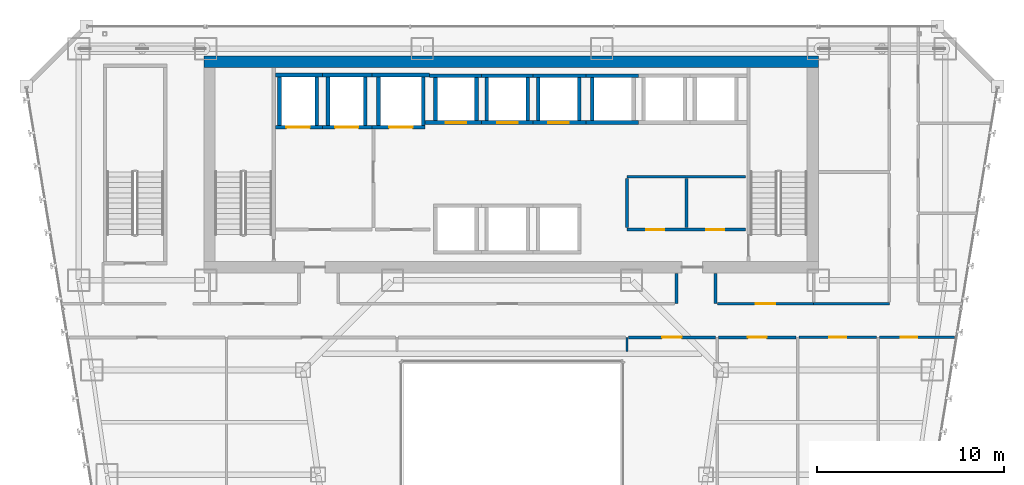
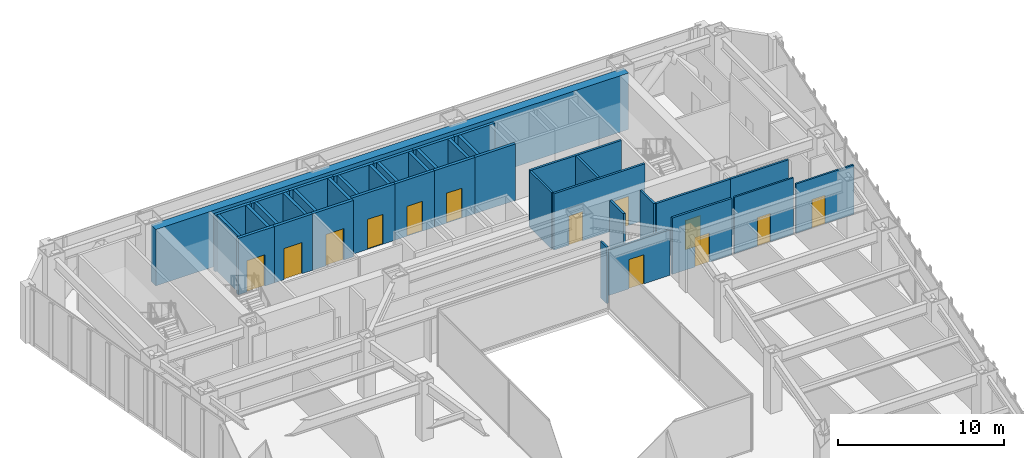
# One storey, part 37 of 47: 41 walls, 13 doors, 13 openings.
"""IFC4 building model written with IfcOpenShell, lengths in metres."""

from ifc_helpers import new_model, si_unit, direction, frame, frame_2d, origin, place, context, subcontext, project, spatial, rectangle, extrude, material, layer, layer_set, type_object, element, fill, save


model = new_model("IFC4")

# Units and contexts
model_context = context("Model", 3, precision=1e-05, world=origin(), true_north=direction((0.0, 1.0)))
body_context = subcontext(model_context, "Body", "Model", "MODEL_VIEW")
ifc_project = project(units=[si_unit("LENGTHUNIT", "METRE"), si_unit("AREAUNIT", "SQUARE_METRE"), si_unit("VOLUMEUNIT", "CUBIC_METRE"), si_unit("PLANEANGLEUNIT", "RADIAN"), si_unit("MASSUNIT", "GRAM", prefix="KILO")], contexts=[model_context])

# Site, building, storey
site_placement = place(None, origin())
site = spatial("IfcSite", under=ifc_project, at=site_placement, CompositionType="ELEMENT")
building_placement = place(site_placement, origin())
building = spatial("IfcBuilding", under=site, at=building_placement, Name="Saevonmaru Cultural Tower", CompositionType="ELEMENT")
storey_placement = place(building_placement, frame((0.0, 0.0, 60.39990234375)))
storey = spatial("IfcBuildingStorey", under=building, at=storey_placement, Name="L12", CompositionType="ELEMENT", Elevation=60.39990234375)

# Wall
ifc_material_1 = material(Name="Concrete C60/75", Category="concrete")
ifc_layer_1 = layer(ifc_material_1, 0.60009765625, Name="Concrete C60/75")
ifc_layer_set_1 = layer_set([ifc_layer_1], Name="Concrete C60/75")
wall_type_1 = type_object("IfcWallType", Name="WL-CORE-600", PredefinedType="SHEAR", material=ifc_layer_set_1)
wall_1_placement = place(storey_placement, frame((13.5, 54.10009765625, 0.0), z_axis=(0.0, 0.0, 1.0), x_axis=(1.0, 0.0, 0.0)))
element("IfcWall", 1, at=wall_1_placement, inside=storey, type_object=wall_type_1, Name="L12 Tower RC core shear wall N", PredefinedType="SHEAR", context=body_context, shape_type="SweptSolid", body=[
    extrude(rectangle(XDim=32.89990234375, YDim=0.60009765625, at=frame_2d((16.449951171875, 0.0))), origin(), (0.0, 0.0, 1.0), 4.150146484375),
])

# Wall, openings, doors
ifc_material_2 = material(Name="Gypsum Fireboard Partition", Category="gypsum")
ifc_layer_2 = layer(ifc_material_2, 0.14990234375, Name="Gypsum Fireboard Partition")
ifc_layer_set_2 = layer_set([ifc_layer_2], Name="Gypsum Fireboard Partition")
wall_type_2 = type_object("IfcWallType", Name="WL-CORE-PART-150", PredefinedType="PARTITIONING", material=ifc_layer_set_2)
wall_2_placement = place(storey_placement, frame((36.14990234375, 45.1201171875, 0.0), z_axis=(0.0, 0.0, 1.0), x_axis=(1.0, 0.0, 0.0)))
wall_2 = element("IfcWall", 2, at=wall_2_placement, inside=storey, type_object=wall_type_2, Name="L12 Core Cluster South Wall", PredefinedType="PARTITIONING", context=body_context, shape_type="SweptSolid", body=[
    extrude(rectangle(XDim=6.35009765625, YDim=0.14990234375, at=frame_2d((3.175048828125, 0.0))), origin(), (0.0, 0.0, 1.0), 4.150146484375),
])
opening_1_placement = place(wall_2_placement, frame((1.050048828125, 0.0, 0.0)))
opening_1 = element("IfcOpeningElement", 3, at=opening_1_placement, cuts=wall_2, Name="Opening FD-4", PredefinedType="OPENING", context=body_context, shape_type="SweptSolid", body=[
    extrude(rectangle(XDim=0.949951171875, YDim=2.14990234375, at=frame_2d((0.47509765625, 1.074951171875))), frame((0.0, 0.0849609375, 0.0), z_axis=(0.0, -1.0, 0.0), x_axis=(1.0, 0.0, 0.0)), (0.0, 0.0, 1.0), 0.169921875),
])
opening_2_placement = place(wall_2_placement, frame((4.25, 0.0, 0.0)))
opening_2 = element("IfcOpeningElement", 4, at=opening_2_placement, cuts=wall_2, Name="Opening FD-4", PredefinedType="OPENING", context=body_context, shape_type="SweptSolid", body=[
    extrude(rectangle(XDim=0.949951171875, YDim=2.14990234375, at=frame_2d((0.47509765625, 1.074951171875))), frame((0.0, 0.0849609375, 0.0), z_axis=(0.0, -1.0, 0.0), x_axis=(1.0, 0.0, 0.0)), (0.0, 0.0, 1.0), 0.169921875),
])
ifc_material_3 = material(Name="Satin Bronze Anodised Aluminium", Category="aluminium")
door_type_1 = type_object("IfcDoorType", Name="DR-FD60-950", OperationType="SINGLE_SWING_LEFT", PredefinedType="DOOR", material=ifc_material_3)
door_1_placement = place(opening_1_placement, origin())
door_1 = element("IfcDoor", 5, at=door_1_placement, inside=storey, type_object=door_type_1, Name="L12 BMS Control Room Door", OperationType="SINGLE_SWING_LEFT", OverallHeight=2.14990234375, OverallWidth=0.949951171875, PredefinedType="DOOR", context=body_context, shape_type="SweptSolid", body=[
    extrude(rectangle(XDim=0.949951171875, YDim=2.14990234375, at=frame_2d((0.47509765625, 1.074951171875))), frame((0.0, 0.02490234375, 0.0), z_axis=(0.0, -1.0, 0.0), x_axis=(1.0, 0.0, 0.0)), (0.0, 0.0, 1.0), 0.050048828125),
])
fill(opening_1, door_1)
door_2_placement = place(opening_2_placement, origin())
door_2 = element("IfcDoor", 6, at=door_2_placement, inside=storey, type_object=door_type_1, Name="L12 Fibre Node Plant Door", OperationType="SINGLE_SWING_LEFT", OverallHeight=2.14990234375, OverallWidth=0.949951171875, PredefinedType="DOOR", context=body_context, shape_type="SweptSolid", body=[
    extrude(rectangle(XDim=0.949951171875, YDim=2.14990234375, at=frame_2d((0.47509765625, 1.074951171875))), frame((0.0, 0.02490234375, 0.0), z_axis=(0.0, -1.0, 0.0), x_axis=(1.0, 0.0, 0.0)), (0.0, 0.0, 1.0), 0.050048828125),
])
fill(opening_2, door_2)

# Walls
wall_3_placement = place(storey_placement, frame((36.14990234375, 47.949951171875, 0.0), z_axis=(0.0, 0.0, 1.0), x_axis=(1.0, 0.0, 0.0)))
element("IfcWall", 7, at=wall_3_placement, inside=storey, type_object=wall_type_2, Name="L12 Core Cluster North Wall", PredefinedType="PARTITIONING", context=body_context, shape_type="SweptSolid", body=[
    extrude(rectangle(XDim=6.35009765625, YDim=0.14990234375, at=frame_2d((3.175048828125, 0.0))), origin(), (0.0, 0.0, 1.0), 4.150146484375),
])
for number, where, z_axis, x_axis, name in (
    (8, (36.14990234375, 45.219970703125, 0.0), (0.0, 0.0, 1.0), (0.0, 1.0, 0.0), "L12 Core Cluster West Wall"),
    (9, (39.35009765625, 45.219970703125, 0.0), (0.0, 0.0, 1.0), (0.0, 1.0, 0.0), "L12 Core Cluster Inner Split"),
):
    element("IfcWall", number, at=place(storey_placement, frame(where, z_axis=z_axis, x_axis=x_axis)), inside=storey, type_object=wall_type_2, Name=name, PredefinedType="PARTITIONING", context=body_context, shape_type="SweptSolid", body=[
        extrude(rectangle(XDim=2.630126953125, YDim=0.14990234375, at=frame_2d((1.31494140625, 0.0))), origin(), (0.0, 0.0, 1.0), 4.150146484375),
    ])
ifc_layer_3 = layer(ifc_material_2, 0.14990234375, Name="Gypsum Fireboard Partition")
ifc_layer_set_3 = layer_set([ifc_layer_3], Name="Gypsum Fireboard Partition")
wall_type_3 = type_object("IfcWallType", Name="WL-PART-FIRE-150", PredefinedType="PARTITIONING", material=ifc_layer_set_3)
for number, where, z_axis, x_axis, name in (
    (10, (38.800048828125, 41.14990234375, 0.0), (0.0, 0.0, 1.0), (0.0, 1.0, 0.0), "L12 Core Portal Side Wall E1"),
    (11, (40.89990234375, 41.14990234375, 0.0), (0.0, 0.0, 1.0), (0.0, 1.0, 0.0), "L12 Core Portal Side Wall E2"),
):
    element("IfcWall", number, at=place(storey_placement, frame(where, z_axis=z_axis, x_axis=x_axis)), inside=storey, type_object=wall_type_3, Name=name, PredefinedType="PARTITIONING", context=body_context, shape_type="SweptSolid", body=[
        extrude(rectangle(XDim=1.630126953125, YDim=0.14990234375, at=frame_2d((0.81494140625, 0.0))), origin(), (0.0, 0.0, 1.0), 4.150146484375),
    ])

# Wall, opening, door
wall_4_placement = place(storey_placement, frame((40.9951171875, 41.14990234375, 0.0), z_axis=(0.0, 0.0, 1.0), x_axis=(1.0, 0.0, 0.0)))
wall_4 = element("IfcWall", 12, at=wall_4_placement, inside=storey, type_object=wall_type_3, Name="L12 Kinetic Art Exhibition Gallery Corridor Wall", PredefinedType="PARTITIONING", context=body_context, shape_type="SweptSolid", body=[
    extrude(rectangle(XDim=5.15478515625, YDim=0.14990234375, at=frame_2d((2.577392578125, 0.0))), origin(), (0.0, 0.0, 1.0), 4.150146484375),
])
opening_3_placement = place(wall_4_placement, frame((2.052978515625, 0.0, 0.0)))
opening_3 = element("IfcOpeningElement", 13, at=opening_3_placement, cuts=wall_4, Name="Opening ID-1", PredefinedType="OPENING", context=body_context, shape_type="SweptSolid", body=[
    extrude(rectangle(XDim=1.050048828125, YDim=2.14990234375, at=frame_2d((0.52490234375, 1.074951171875))), frame((0.0, 0.0849609375, 0.0), z_axis=(0.0, -1.0, 0.0), x_axis=(1.0, 0.0, 0.0)), (0.0, 0.0, 1.0), 0.169921875),
])
door_type_2 = type_object("IfcDoorType", Name="DR-INT-1050", OperationType="SINGLE_SWING_LEFT", PredefinedType="DOOR", material=ifc_material_3)
door_3_placement = place(opening_3_placement, origin())
door_3 = element("IfcDoor", 14, at=door_3_placement, inside=storey, type_object=door_type_2, Name="L12 Kinetic Art Exhibition Gallery Door", OperationType="SINGLE_SWING_LEFT", OverallHeight=2.14990234375, OverallWidth=1.050048828125, PredefinedType="DOOR", context=body_context, shape_type="SweptSolid", body=[
    extrude(rectangle(XDim=1.050048828125, YDim=2.14990234375, at=frame_2d((0.52490234375, 1.074951171875))), frame((0.0, 0.02490234375, 0.0), z_axis=(0.0, -1.0, 0.0), x_axis=(1.0, 0.0, 0.0)), (0.0, 0.0, 1.0), 0.050048828125),
])
fill(opening_3, door_3)

wall_5_placement = place(storey_placement, frame((36.22998046875, 39.35009765625, 0.0), z_axis=(0.0, 0.0, 1.0), x_axis=(1.0, 0.0, 0.0)))
wall_5 = element("IfcWall", 15, at=wall_5_placement, inside=storey, type_object=wall_type_3, Name="L12 Kinetic Art Exhibition Gallery Corridor Wall", PredefinedType="PARTITIONING", context=body_context, shape_type="SweptSolid", body=[
    extrude(rectangle(XDim=4.66259765625, YDim=0.14990234375, at=frame_2d((2.331298828125, 0.0))), origin(), (0.0, 0.0, 1.0), 3.335205078125),
])
opening_4_placement = place(wall_5_placement, frame((1.805908203125, 0.0, 0.0)))
opening_4 = element("IfcOpeningElement", 16, at=opening_4_placement, cuts=wall_5, Name="Opening ID-1", PredefinedType="OPENING", context=body_context, shape_type="SweptSolid", body=[
    extrude(rectangle(XDim=1.050048828125, YDim=2.14990234375, at=frame_2d((0.52490234375, 1.074951171875))), frame((0.0, 0.0849609375, 0.0), z_axis=(0.0, -1.0, 0.0), x_axis=(1.0, 0.0, 0.0)), (0.0, 0.0, 1.0), 0.169921875),
])
door_4_placement = place(opening_4_placement, origin())
door_4 = element("IfcDoor", 17, at=door_4_placement, inside=storey, type_object=door_type_2, Name="L12 Kinetic Art Exhibition Gallery Door", OperationType="SINGLE_SWING_RIGHT", OverallHeight=2.14990234375, OverallWidth=1.050048828125, PredefinedType="DOOR", context=body_context, shape_type="SweptSolid", body=[
    extrude(rectangle(XDim=1.050048828125, YDim=2.14990234375, at=frame_2d((0.52490234375, 1.074951171875))), frame((0.0, 0.02490234375, 0.0), z_axis=(0.0, -1.0, 0.0), x_axis=(1.0, 0.0, 0.0)), (0.0, 0.0, 1.0), 0.050048828125),
])
fill(opening_4, door_4)

wall_6_placement = place(storey_placement, frame((41.0673828125, 39.35009765625, 0.0), z_axis=(0.0, 0.0, 1.0), x_axis=(1.0, 0.0, 0.0)))
wall_6 = element("IfcWall", 18, at=wall_6_placement, inside=storey, type_object=wall_type_3, Name="L12 Chamber Rehearsal Auditorium Corridor Wall", PredefinedType="PARTITIONING", context=body_context, shape_type="SweptSolid", body=[
    extrude(rectangle(XDim=4.135009765625, YDim=0.14990234375, at=frame_2d((2.0673828125, 0.0))), origin(), (0.0, 0.0, 1.0), 4.150146484375),
])
opening_5_placement = place(wall_6_placement, frame((1.56689453125, 0.0, 0.0)))
opening_5 = element("IfcOpeningElement", 19, at=opening_5_placement, cuts=wall_6, Name="Opening ID-1B", PredefinedType="OPENING", context=body_context, shape_type="SweptSolid", body=[
    extrude(rectangle(XDim=1.0, YDim=2.14990234375, at=frame_2d((0.5, 1.074951171875))), frame((0.0, 0.0849609375, 0.0), z_axis=(0.0, -1.0, 0.0), x_axis=(1.0, 0.0, 0.0)), (0.0, 0.0, 1.0), 0.169921875),
])
ifc_material_4 = material(Name="Acoustic Stained Oak Timber", Category="wood")
door_type_3 = type_object("IfcDoorType", Name="DR-INT-1000", OperationType="SINGLE_SWING_RIGHT", PredefinedType="DOOR", material=ifc_material_4)
door_5_placement = place(opening_5_placement, origin())
door_5 = element("IfcDoor", 20, at=door_5_placement, inside=storey, type_object=door_type_3, Name="L12 Chamber Rehearsal Auditorium Door", OperationType="SINGLE_SWING_LEFT", OverallHeight=2.14990234375, OverallWidth=1.0, PredefinedType="DOOR", context=body_context, shape_type="SweptSolid", body=[
    extrude(rectangle(XDim=1.0, YDim=2.14990234375, at=frame_2d((0.5, 1.074951171875))), frame((0.0, 0.02490234375, 0.0), z_axis=(0.0, -1.0, 0.0), x_axis=(1.0, 0.0, 0.0)), (0.0, 0.0, 1.0), 0.050048828125),
])
fill(opening_5, door_5)

# Wall
ifc_layer_4 = layer(ifc_material_2, 0.1201171875, Name="Gypsum Fireboard Partition")
ifc_layer_set_4 = layer_set([ifc_layer_4], Name="Gypsum Fireboard Partition")
wall_type_4 = type_object("IfcWallType", Name="WL-PART-GYP-120", PredefinedType="PARTITIONING", material=ifc_layer_set_4)
wall_7_placement = place(storey_placement, frame((36.14990234375, 38.60009765625, 0.0), z_axis=(0.0, 0.0, 1.0), x_axis=(0.0, 1.0, 0.0)))
element("IfcWall", 21, at=wall_7_placement, inside=storey, type_object=wall_type_4, Name="L12 North Atrium East Wall", PredefinedType="PARTITIONING", context=body_context, shape_type="SweptSolid", body=[
    extrude(rectangle(XDim=0.75, YDim=0.1201171875, at=frame_2d((0.375, 0.0))), origin(), (0.0, 0.0, 1.0), 4.150146484375),
])

# Wall, opening, door
wall_8_placement = place(storey_placement, frame((45.37744140625, 39.35009765625, 0.0), z_axis=(0.0, 0.0, 1.0), x_axis=(1.0, 0.0, 0.0)))
wall_8 = element("IfcWall", 22, at=wall_8_placement, inside=storey, type_object=wall_type_4, Name="L12 Urban Design Meeting Room Corridor Wall", PredefinedType="PARTITIONING", context=body_context, shape_type="SweptSolid", body=[
    extrude(rectangle(XDim=4.135009765625, YDim=0.1201171875, at=frame_2d((2.0673828125, 0.0))), origin(), (0.0, 0.0, 1.0), 4.150146484375),
])
opening_6_placement = place(wall_8_placement, frame((1.617919921875, 0.0, 0.0)))
opening_6 = element("IfcOpeningElement", 23, at=opening_6_placement, cuts=wall_8, Name="Opening ID-2", PredefinedType="OPENING", context=body_context, shape_type="SweptSolid", body=[
    extrude(rectangle(XDim=0.89990234375, YDim=2.10009765625, at=frame_2d((0.449951171875, 1.050048828125))), frame((0.0, 0.070068359375, 0.0), z_axis=(0.0, -1.0, 0.0), x_axis=(1.0, 0.0, 0.0)), (0.0, 0.0, 1.0), 0.14013671875),
])
door_type_4 = type_object("IfcDoorType", Name="DR-INT-900", OperationType="SINGLE_SWING_RIGHT", PredefinedType="DOOR", material=ifc_material_4)
door_6_placement = place(opening_6_placement, origin())
door_6 = element("IfcDoor", 24, at=door_6_placement, inside=storey, type_object=door_type_4, Name="L12 Urban Design Meeting Room Door", OperationType="SINGLE_SWING_RIGHT", OverallHeight=2.10009765625, OverallWidth=0.89990234375, PredefinedType="DOOR", context=body_context, shape_type="SweptSolid", body=[
    extrude(rectangle(XDim=0.89990234375, YDim=2.10009765625, at=frame_2d((0.449951171875, 1.050048828125))), frame((0.0, 0.02490234375, 0.0), z_axis=(0.0, -1.0, 0.0), x_axis=(1.0, 0.0, 0.0)), (0.0, 0.0, 1.0), 0.050048828125),
])
fill(opening_6, door_6)

wall_9_placement = place(storey_placement, frame((49.6875, 39.35009765625, 0.0), z_axis=(0.0, 0.0, 1.0), x_axis=(1.0, 0.0, 0.0)))
wall_9 = element("IfcWall", 25, at=wall_9_placement, inside=storey, type_object=wall_type_4, Name="L12 Calligraphy Teaching Studio Corridor Wall", PredefinedType="PARTITIONING", context=body_context, shape_type="SweptSolid", body=[
    extrude(rectangle(XDim=4.007568359375, YDim=0.1201171875, at=frame_2d((2.00390625, 0.0))), origin(), (0.0, 0.0, 1.0), 3.635009765625),
])
opening_7_placement = place(wall_9_placement, frame((1.114013671875, 0.0, 0.0)))
opening_7 = element("IfcOpeningElement", 26, at=opening_7_placement, cuts=wall_9, Name="Opening ID-2", PredefinedType="OPENING", context=body_context, shape_type="SweptSolid", body=[
    extrude(rectangle(XDim=0.89990234375, YDim=2.10009765625, at=frame_2d((0.449951171875, 1.050048828125))), frame((0.0, 0.070068359375, 0.0), z_axis=(0.0, -1.0, 0.0), x_axis=(1.0, 0.0, 0.0)), (0.0, 0.0, 1.0), 0.14013671875),
])
door_7_placement = place(opening_7_placement, origin())
door_7 = element("IfcDoor", 27, at=door_7_placement, inside=storey, type_object=door_type_4, Name="L12 Calligraphy Teaching Studio Door", OperationType="SINGLE_SWING_LEFT", OverallHeight=2.10009765625, OverallWidth=0.89990234375, PredefinedType="DOOR", context=body_context, shape_type="SweptSolid", body=[
    extrude(rectangle(XDim=0.89990234375, YDim=2.10009765625, at=frame_2d((0.449951171875, 1.050048828125))), frame((0.0, 0.02490234375, 0.0), z_axis=(0.0, -1.0, 0.0), x_axis=(1.0, 0.0, 0.0)), (0.0, 0.0, 1.0), 0.050048828125),
])
fill(opening_7, door_7)

# Wall
ifc_layer_5 = layer(ifc_material_2, 0.139892578125, Name="Gypsum Fireboard Partition")
ifc_layer_set_5 = layer_set([ifc_layer_5], Name="Gypsum Fireboard Partition")
wall_type_5 = type_object("IfcWallType", Name="WL-PART-WET-140", PredefinedType="PARTITIONING", material=ifc_layer_set_5)
wall_10_placement = place(storey_placement, frame((46.14990234375, 41.14990234375, 0.0), z_axis=(0.0, 0.0, 1.0), x_axis=(1.0, 0.0, 0.0)))
element("IfcWall", 28, at=wall_10_placement, inside=storey, type_object=wall_type_5, Name="L12 Washroom South Wall", PredefinedType="PARTITIONING", context=body_context, shape_type="SweptSolid", body=[
    extrude(rectangle(XDim=4.050048828125, YDim=0.139892578125, at=frame_2d((2.02490234375, 0.0))), origin(), (0.0, 0.0, 1.0), 4.150146484375),
])

# Wall, opening, door
ifc_material_5 = material(Name="Concrete C40/50", Category="concrete")
ifc_layer_6 = layer(ifc_material_5, 0.199951171875, Name="Concrete C40/50")
ifc_layer_set_6 = layer_set([ifc_layer_6], Name="Concrete C40/50")
wall_type_6 = type_object("IfcWallType", Name="WL-SHAFT-200", PredefinedType="SHEAR", material=ifc_layer_set_6)
wall_11_placement = place(storey_placement, frame((17.330078125, 50.60009765625, 0.0), z_axis=(0.0, 0.0, 1.0), x_axis=(1.0, 0.0, 0.0)))
wall_11 = element("IfcWall", 29, at=wall_11_placement, inside=storey, type_object=wall_type_6, Name="L12 Lift FFL-1 Hoistway Wall S", PredefinedType="SHEAR", context=body_context, shape_type="SweptSolid", body=[
    extrude(rectangle(XDim=2.52001953125, YDim=0.199951171875, at=frame_2d((1.260009765625, 0.0))), origin(), (0.0, 0.0, 1.0), 4.150146484375),
])
opening_8_placement = place(wall_11_placement, frame((0.594970703125, 0.0, 0.0)))
opening_8 = element("IfcOpeningElement", 30, at=opening_8_placement, cuts=wall_11, Name="Opening LD-2", PredefinedType="OPENING", context=body_context, shape_type="SweptSolid", body=[
    extrude(rectangle(XDim=1.25, YDim=2.300048828125, at=frame_2d((0.625, 1.14990234375))), frame((0.0, 0.10986328125, 0.0), z_axis=(0.0, -1.0, 0.0), x_axis=(1.0, 0.0, 0.0)), (0.0, 0.0, 1.0), 0.219970703125),
])
ifc_material_6 = material(Name="Stainless Steel 316", Category="steel")
door_type_5 = type_object("IfcDoorType", Name="DR-LIFT-1250", OperationType="SLIDING_TO_LEFT", PredefinedType="DOOR", material=ifc_material_6)
door_8_placement = place(opening_8_placement, origin())
door_8 = element("IfcDoor", 31, at=door_8_placement, inside=storey, type_object=door_type_5, Name="L12 Lift FFL-1 Sliding Landing Door", OperationType="SLIDING_TO_LEFT", OverallHeight=2.300048828125, OverallWidth=1.25, PredefinedType="DOOR", context=body_context, shape_type="SweptSolid", body=[
    extrude(rectangle(XDim=1.25, YDim=2.300048828125, at=frame_2d((0.625, 1.14990234375))), frame((0.0, 0.02490234375, 0.0), z_axis=(0.0, -1.0, 0.0), x_axis=(1.0, 0.0, 0.0)), (0.0, 0.0, 1.0), 0.050048828125),
])
fill(opening_8, door_8)

# Walls
wall_12_placement = place(storey_placement, frame((17.330078125, 53.39990234375, 0.0), z_axis=(0.0, 0.0, 1.0), x_axis=(1.0, 0.0, 0.0)))
element("IfcWall", 32, at=wall_12_placement, inside=storey, type_object=wall_type_6, Name="L12 Lift FFL-1 Hoistway Wall N", PredefinedType="SHEAR", context=body_context, shape_type="SweptSolid", body=[
    extrude(rectangle(XDim=2.52001953125, YDim=0.199951171875, at=frame_2d((1.260009765625, 0.0))), origin(), (0.0, 0.0, 1.0), 4.150146484375),
])
for number, where, z_axis, x_axis, name in (
    (33, (17.550048828125, 50.699951171875, 0.0), (0.0, 0.0, 1.0), (0.0, 1.0, 0.0), "L12 Lift FFL-1 Hoistway Wall W"),
    (34, (19.550048828125, 50.699951171875, 0.0), (0.0, 0.0, 1.0), (0.0, 1.0, 0.0), "L12 Lift FFL-1 Hoistway Wall E"),
):
    element("IfcWall", number, at=place(storey_placement, frame(where, z_axis=z_axis, x_axis=x_axis)), inside=storey, type_object=wall_type_6, Name=name, PredefinedType="SHEAR", context=body_context, shape_type="SweptSolid", body=[
        extrude(rectangle(XDim=2.60009765625, YDim=0.199951171875, at=frame_2d((1.300048828125, 0.0))), origin(), (0.0, 0.0, 1.0), 4.150146484375),
    ])

# Wall, opening, door
wall_13_placement = place(storey_placement, frame((19.85009765625, 50.60009765625, 0.0), z_axis=(0.0, 0.0, 1.0), x_axis=(1.0, 0.0, 0.0)))
wall_13 = element("IfcWall", 35, at=wall_13_placement, inside=storey, type_object=wall_type_6, Name="L12 Lift FFL-2 Hoistway Wall S", PredefinedType="SHEAR", context=body_context, shape_type="SweptSolid", body=[
    extrude(rectangle(XDim=2.64990234375, YDim=0.199951171875, at=frame_2d((1.324951171875, 0.0))), origin(), (0.0, 0.0, 1.0), 4.150146484375),
])
opening_9_placement = place(wall_13_placement, frame((0.675048828125, 0.0, 0.0)))
opening_9 = element("IfcOpeningElement", 36, at=opening_9_placement, cuts=wall_13, Name="Opening LD-2", PredefinedType="OPENING", context=body_context, shape_type="SweptSolid", body=[
    extrude(rectangle(XDim=1.25, YDim=2.300048828125, at=frame_2d((0.625, 1.14990234375))), frame((0.0, 0.10986328125, 0.0), z_axis=(0.0, -1.0, 0.0), x_axis=(1.0, 0.0, 0.0)), (0.0, 0.0, 1.0), 0.219970703125),
])
door_9_placement = place(opening_9_placement, origin())
door_9 = element("IfcDoor", 37, at=door_9_placement, inside=storey, type_object=door_type_5, Name="L12 Lift FFL-2 Sliding Landing Door", OperationType="SLIDING_TO_LEFT", OverallHeight=2.300048828125, OverallWidth=1.25, PredefinedType="DOOR", context=body_context, shape_type="SweptSolid", body=[
    extrude(rectangle(XDim=1.25, YDim=2.300048828125, at=frame_2d((0.625, 1.14990234375))), frame((0.0, 0.02490234375, 0.0), z_axis=(0.0, -1.0, 0.0), x_axis=(1.0, 0.0, 0.0)), (0.0, 0.0, 1.0), 0.050048828125),
])
fill(opening_9, door_9)

# Walls
wall_14_placement = place(storey_placement, frame((19.85009765625, 53.39990234375, 0.0), z_axis=(0.0, 0.0, 1.0), x_axis=(1.0, 0.0, 0.0)))
element("IfcWall", 38, at=wall_14_placement, inside=storey, type_object=wall_type_6, Name="L12 Lift FFL-2 Hoistway Wall N", PredefinedType="SHEAR", context=body_context, shape_type="SweptSolid", body=[
    extrude(rectangle(XDim=2.64990234375, YDim=0.199951171875, at=frame_2d((1.324951171875, 0.0))), origin(), (0.0, 0.0, 1.0), 4.150146484375),
])
for number, where, z_axis, x_axis, name in (
    (39, (20.14990234375, 50.699951171875, 0.0), (0.0, 0.0, 1.0), (0.0, 1.0, 0.0), "L12 Lift FFL-2 Hoistway Wall W"),
    (40, (22.14990234375, 50.699951171875, 0.0), (0.0, 0.0, 1.0), (0.0, 1.0, 0.0), "L12 Lift FFL-2 Hoistway Wall E"),
):
    element("IfcWall", number, at=place(storey_placement, frame(where, z_axis=z_axis, x_axis=x_axis)), inside=storey, type_object=wall_type_6, Name=name, PredefinedType="SHEAR", context=body_context, shape_type="SweptSolid", body=[
        extrude(rectangle(XDim=2.60009765625, YDim=0.199951171875, at=frame_2d((1.300048828125, 0.0))), origin(), (0.0, 0.0, 1.0), 4.150146484375),
    ])

# Wall, opening, door
wall_15_placement = place(storey_placement, frame((22.5, 50.60009765625, 0.0), z_axis=(0.0, 0.0, 1.0), x_axis=(1.0, 0.0, 0.0)))
wall_15 = element("IfcWall", 41, at=wall_15_placement, inside=storey, type_object=wall_type_6, Name="L12 Lift GL-1 Hoistway Wall S", PredefinedType="SHEAR", context=body_context, shape_type="SweptSolid", body=[
    extrude(rectangle(XDim=2.85009765625, YDim=0.199951171875, at=frame_2d((1.425048828125, 0.0))), origin(), (0.0, 0.0, 1.0), 4.150146484375),
])
opening_10_placement = place(wall_15_placement, frame((0.925048828125, 0.0, 0.0)))
opening_10 = element("IfcOpeningElement", 42, at=opening_10_placement, cuts=wall_15, Name="Opening LD-2", PredefinedType="OPENING", context=body_context, shape_type="SweptSolid", body=[
    extrude(rectangle(XDim=1.25, YDim=2.300048828125, at=frame_2d((0.625, 1.14990234375))), frame((0.0, 0.10986328125, 0.0), z_axis=(0.0, -1.0, 0.0), x_axis=(1.0, 0.0, 0.0)), (0.0, 0.0, 1.0), 0.219970703125),
])
door_10_placement = place(opening_10_placement, origin())
door_10 = element("IfcDoor", 43, at=door_10_placement, inside=storey, type_object=door_type_5, Name="L12 Lift GL-1 Sliding Landing Door", OperationType="SLIDING_TO_LEFT", OverallHeight=2.300048828125, OverallWidth=1.25, PredefinedType="DOOR", context=body_context, shape_type="SweptSolid", body=[
    extrude(rectangle(XDim=1.25, YDim=2.300048828125, at=frame_2d((0.625, 1.14990234375))), frame((0.0, 0.02490234375, 0.0), z_axis=(0.0, -1.0, 0.0), x_axis=(1.0, 0.0, 0.0)), (0.0, 0.0, 1.0), 0.050048828125),
])
fill(opening_10, door_10)

# Walls
wall_16_placement = place(storey_placement, frame((22.5, 53.39990234375, 0.0), z_axis=(0.0, 0.0, 1.0), x_axis=(1.0, 0.0, 0.0)))
element("IfcWall", 44, at=wall_16_placement, inside=storey, type_object=wall_type_6, Name="L12 Lift GL-1 Hoistway Wall N", PredefinedType="SHEAR", context=body_context, shape_type="SweptSolid", body=[
    extrude(rectangle(XDim=3.074951171875, YDim=0.199951171875, at=frame_2d((1.53759765625, 0.0))), origin(), (0.0, 0.0, 1.0), 4.150146484375),
])
for number, where, z_axis, x_axis, name in (
    (45, (22.85009765625, 50.699951171875, 0.0), (0.0, 0.0, 1.0), (0.0, 1.0, 0.0), "L12 Lift GL-1 Hoistway Wall W"),
    (46, (25.25, 50.699951171875, 0.0), (0.0, 0.0, 1.0), (0.0, 1.0, 0.0), "L12 Lift GL-1 Hoistway Wall E"),
):
    element("IfcWall", number, at=place(storey_placement, frame(where, z_axis=z_axis, x_axis=x_axis)), inside=storey, type_object=wall_type_6, Name=name, PredefinedType="SHEAR", context=body_context, shape_type="SweptSolid", body=[
        extrude(rectangle(XDim=2.60009765625, YDim=0.199951171875, at=frame_2d((1.300048828125, 0.0))), origin(), (0.0, 0.0, 1.0), 4.150146484375),
    ])

# Wall, opening, door
wall_17_placement = place(storey_placement, frame((25.35009765625, 50.85009765625, 0.0), z_axis=(0.0, 0.0, 1.0), x_axis=(1.0, 0.0, 0.0)))
wall_17 = element("IfcWall", 47, at=wall_17_placement, inside=storey, type_object=wall_type_6, Name="L12 Lift PL-L1 Hoistway Wall S", PredefinedType="SHEAR", context=body_context, shape_type="SweptSolid", body=[
    extrude(rectangle(XDim=3.02490234375, YDim=0.199951171875, at=frame_2d((1.512451171875, 0.0))), origin(), (0.0, 0.0, 1.0), 4.150146484375),
])
opening_11_placement = place(wall_17_placement, frame((1.10009765625, 0.0, 0.0)))
opening_11 = element("IfcOpeningElement", 48, at=opening_11_placement, cuts=wall_17, Name="Opening LD-1", PredefinedType="OPENING", context=body_context, shape_type="SweptSolid", body=[
    extrude(rectangle(XDim=1.10009765625, YDim=2.199951171875, at=frame_2d((0.550048828125, 1.10009765625))), frame((0.0, 0.10986328125, 0.0), z_axis=(0.0, -1.0, 0.0), x_axis=(1.0, 0.0, 0.0)), (0.0, 0.0, 1.0), 0.219970703125),
])
ifc_material_7 = material(Name="Satin Bronze Stainless Steel", Category="steel")
door_type_6 = type_object("IfcDoorType", Name="DR-LIFT-1100", OperationType="SLIDING_TO_LEFT", PredefinedType="DOOR", material=ifc_material_7)
door_11_placement = place(opening_11_placement, origin())
door_11 = element("IfcDoor", 49, at=door_11_placement, inside=storey, type_object=door_type_6, Name="L12 Lift PL-L1 Sliding Landing Door", OperationType="SLIDING_TO_LEFT", OverallHeight=2.199951171875, OverallWidth=1.10009765625, PredefinedType="DOOR", context=body_context, shape_type="SweptSolid", body=[
    extrude(rectangle(XDim=1.10009765625, YDim=2.199951171875, at=frame_2d((0.550048828125, 1.10009765625))), frame((0.0, 0.02490234375, 0.0), z_axis=(0.0, -1.0, 0.0), x_axis=(1.0, 0.0, 0.0)), (0.0, 0.0, 1.0), 0.050048828125),
])
fill(opening_11, door_11)

# Walls
wall_18_placement = place(storey_placement, frame((25.574951171875, 53.35009765625, 0.0), z_axis=(0.0, 0.0, 1.0), x_axis=(1.0, 0.0, 0.0)))
element("IfcWall", 50, at=wall_18_placement, inside=storey, type_object=wall_type_6, Name="L12 Lift PL-L1 Hoistway Wall N", PredefinedType="SHEAR", context=body_context, shape_type="SweptSolid", body=[
    extrude(rectangle(XDim=2.800048828125, YDim=0.199951171875, at=frame_2d((1.39990234375, 0.0))), origin(), (0.0, 0.0, 1.0), 4.150146484375),
])
for number, where, z_axis, x_axis, name in (
    (51, (25.89990234375, 50.949951171875, 0.0), (0.0, 0.0, 1.0), (0.0, 1.0, 0.0), "L12 Lift PL-L1 Hoistway Wall W"),
    (52, (28.10009765625, 50.949951171875, 0.0), (0.0, 0.0, 1.0), (0.0, 1.0, 0.0), "L12 Lift PL-L1 Hoistway Wall E"),
):
    element("IfcWall", number, at=place(storey_placement, frame(where, z_axis=z_axis, x_axis=x_axis)), inside=storey, type_object=wall_type_6, Name=name, PredefinedType="SHEAR", context=body_context, shape_type="SweptSolid", body=[
        extrude(rectangle(XDim=2.300048828125, YDim=0.199951171875, at=frame_2d((1.14990234375, 0.0))), origin(), (0.0, 0.0, 1.0), 4.150146484375),
    ])

# Wall, opening, door
wall_19_placement = place(storey_placement, frame((28.375, 50.85009765625, 0.0), z_axis=(0.0, 0.0, 1.0), x_axis=(1.0, 0.0, 0.0)))
wall_19 = element("IfcWall", 53, at=wall_19_placement, inside=storey, type_object=wall_type_6, Name="L12 Lift PL-L2 Hoistway Wall S", PredefinedType="SHEAR", context=body_context, shape_type="SweptSolid", body=[
    extrude(rectangle(XDim=2.75, YDim=0.199951171875, at=frame_2d((1.375, 0.0))), origin(), (0.0, 0.0, 1.0), 4.150146484375),
])
opening_12_placement = place(wall_19_placement, frame((0.824951171875, 0.0, 0.0)))
opening_12 = element("IfcOpeningElement", 54, at=opening_12_placement, cuts=wall_19, Name="Opening LD-1", PredefinedType="OPENING", context=body_context, shape_type="SweptSolid", body=[
    extrude(rectangle(XDim=1.10009765625, YDim=2.199951171875, at=frame_2d((0.550048828125, 1.10009765625))), frame((0.0, 0.10986328125, 0.0), z_axis=(0.0, -1.0, 0.0), x_axis=(1.0, 0.0, 0.0)), (0.0, 0.0, 1.0), 0.219970703125),
])
door_12_placement = place(opening_12_placement, origin())
door_12 = element("IfcDoor", 55, at=door_12_placement, inside=storey, type_object=door_type_6, Name="L12 Lift PL-L2 Sliding Landing Door", OperationType="SLIDING_TO_LEFT", OverallHeight=2.199951171875, OverallWidth=1.10009765625, PredefinedType="DOOR", context=body_context, shape_type="SweptSolid", body=[
    extrude(rectangle(XDim=1.10009765625, YDim=2.199951171875, at=frame_2d((0.550048828125, 1.10009765625))), frame((0.0, 0.02490234375, 0.0), z_axis=(0.0, -1.0, 0.0), x_axis=(1.0, 0.0, 0.0)), (0.0, 0.0, 1.0), 0.050048828125),
])
fill(opening_12, door_12)

# Walls
wall_20_placement = place(storey_placement, frame((28.375, 53.35009765625, 0.0), z_axis=(0.0, 0.0, 1.0), x_axis=(1.0, 0.0, 0.0)))
element("IfcWall", 56, at=wall_20_placement, inside=storey, type_object=wall_type_6, Name="L12 Lift PL-L2 Hoistway Wall N", PredefinedType="SHEAR", context=body_context, shape_type="SweptSolid", body=[
    extrude(rectangle(XDim=2.75, YDim=0.199951171875, at=frame_2d((1.375, 0.0))), origin(), (0.0, 0.0, 1.0), 4.150146484375),
])
for number, where, z_axis, x_axis, name in (
    (57, (28.64990234375, 50.949951171875, 0.0), (0.0, 0.0, 1.0), (0.0, 1.0, 0.0), "L12 Lift PL-L2 Hoistway Wall W"),
    (58, (30.85009765625, 50.949951171875, 0.0), (0.0, 0.0, 1.0), (0.0, 1.0, 0.0), "L12 Lift PL-L2 Hoistway Wall E"),
):
    element("IfcWall", number, at=place(storey_placement, frame(where, z_axis=z_axis, x_axis=x_axis)), inside=storey, type_object=wall_type_6, Name=name, PredefinedType="SHEAR", context=body_context, shape_type="SweptSolid", body=[
        extrude(rectangle(XDim=2.300048828125, YDim=0.199951171875, at=frame_2d((1.14990234375, 0.0))), origin(), (0.0, 0.0, 1.0), 4.150146484375),
    ])

# Wall, opening, door
wall_21_placement = place(storey_placement, frame((31.125, 50.85009765625, 0.0), z_axis=(0.0, 0.0, 1.0), x_axis=(1.0, 0.0, 0.0)))
wall_21 = element("IfcWall", 59, at=wall_21_placement, inside=storey, type_object=wall_type_6, Name="L12 Lift PL-L3 Hoistway Wall S", PredefinedType="SHEAR", context=body_context, shape_type="SweptSolid", body=[
    extrude(rectangle(XDim=2.824951171875, YDim=0.199951171875, at=frame_2d((1.41259765625, 0.0))), origin(), (0.0, 0.0, 1.0), 4.150146484375),
])
opening_13_placement = place(wall_21_placement, frame((0.824951171875, 0.0, 0.0)))
opening_13 = element("IfcOpeningElement", 60, at=opening_13_placement, cuts=wall_21, Name="Opening LD-1", PredefinedType="OPENING", context=body_context, shape_type="SweptSolid", body=[
    extrude(rectangle(XDim=1.10009765625, YDim=2.199951171875, at=frame_2d((0.550048828125, 1.10009765625))), frame((0.0, 0.10986328125, 0.0), z_axis=(0.0, -1.0, 0.0), x_axis=(1.0, 0.0, 0.0)), (0.0, 0.0, 1.0), 0.219970703125),
])
door_13_placement = place(opening_13_placement, origin())
door_13 = element("IfcDoor", 61, at=door_13_placement, inside=storey, type_object=door_type_6, Name="L12 Lift PL-L3 Sliding Landing Door", OperationType="SLIDING_TO_LEFT", OverallHeight=2.199951171875, OverallWidth=1.10009765625, PredefinedType="DOOR", context=body_context, shape_type="SweptSolid", body=[
    extrude(rectangle(XDim=1.10009765625, YDim=2.199951171875, at=frame_2d((0.550048828125, 1.10009765625))), frame((0.0, 0.02490234375, 0.0), z_axis=(0.0, -1.0, 0.0), x_axis=(1.0, 0.0, 0.0)), (0.0, 0.0, 1.0), 0.050048828125),
])
fill(opening_13, door_13)

# Walls
wall_22_placement = place(storey_placement, frame((31.125, 53.35009765625, 0.0), z_axis=(0.0, 0.0, 1.0), x_axis=(1.0, 0.0, 0.0)))
element("IfcWall", 62, at=wall_22_placement, inside=storey, type_object=wall_type_6, Name="L12 Lift PL-L3 Hoistway Wall N", PredefinedType="SHEAR", context=body_context, shape_type="SweptSolid", body=[
    extrude(rectangle(XDim=2.824951171875, YDim=0.199951171875, at=frame_2d((1.41259765625, 0.0))), origin(), (0.0, 0.0, 1.0), 4.150146484375),
])
for number, where, z_axis, x_axis, name in (
    (63, (31.39990234375, 50.949951171875, 0.0), (0.0, 0.0, 1.0), (0.0, 1.0, 0.0), "L12 Lift PL-L3 Hoistway Wall W"),
    (64, (33.60009765625, 50.949951171875, 0.0), (0.0, 0.0, 1.0), (0.0, 1.0, 0.0), "L12 Lift PL-L3 Hoistway Wall E"),
):
    element("IfcWall", number, at=place(storey_placement, frame(where, z_axis=z_axis, x_axis=x_axis)), inside=storey, type_object=wall_type_6, Name=name, PredefinedType="SHEAR", context=body_context, shape_type="SweptSolid", body=[
        extrude(rectangle(XDim=2.300048828125, YDim=0.199951171875, at=frame_2d((1.14990234375, 0.0))), origin(), (0.0, 0.0, 1.0), 4.150146484375),
    ])
for number, where, z_axis, x_axis, name in (
    (65, (33.949951171875, 50.85009765625, 0.0), (0.0, 0.0, 1.0), (1.0, 0.0, 0.0), "L12 Lift PL-H1 Hoistway Wall S"),
    (66, (33.949951171875, 53.35009765625, 0.0), (0.0, 0.0, 1.0), (1.0, 0.0, 0.0), "L12 Lift PL-H1 Hoistway Wall N"),
):
    element("IfcWall", number, at=place(storey_placement, frame(where, z_axis=z_axis, x_axis=x_axis)), inside=storey, type_object=wall_type_6, Name=name, PredefinedType="SHEAR", context=body_context, shape_type="SweptSolid", body=[
        extrude(rectangle(XDim=2.824951171875, YDim=0.199951171875, at=frame_2d((1.41259765625, 0.0))), origin(), (0.0, 0.0, 1.0), 4.150146484375),
    ])
wall_23_placement = place(storey_placement, frame((34.300048828125, 50.949951171875, 0.0), z_axis=(0.0, 0.0, 1.0), x_axis=(0.0, 1.0, 0.0)))
element("IfcWall", 67, at=wall_23_placement, inside=storey, type_object=wall_type_6, Name="L12 Lift PL-H1 Hoistway Wall W", PredefinedType="SHEAR", context=body_context, shape_type="SweptSolid", body=[
    extrude(rectangle(XDim=2.300048828125, YDim=0.199951171875, at=frame_2d((1.14990234375, 0.0))), origin(), (0.0, 0.0, 1.0), 4.150146484375),
])

save(model, "model.ifc")
